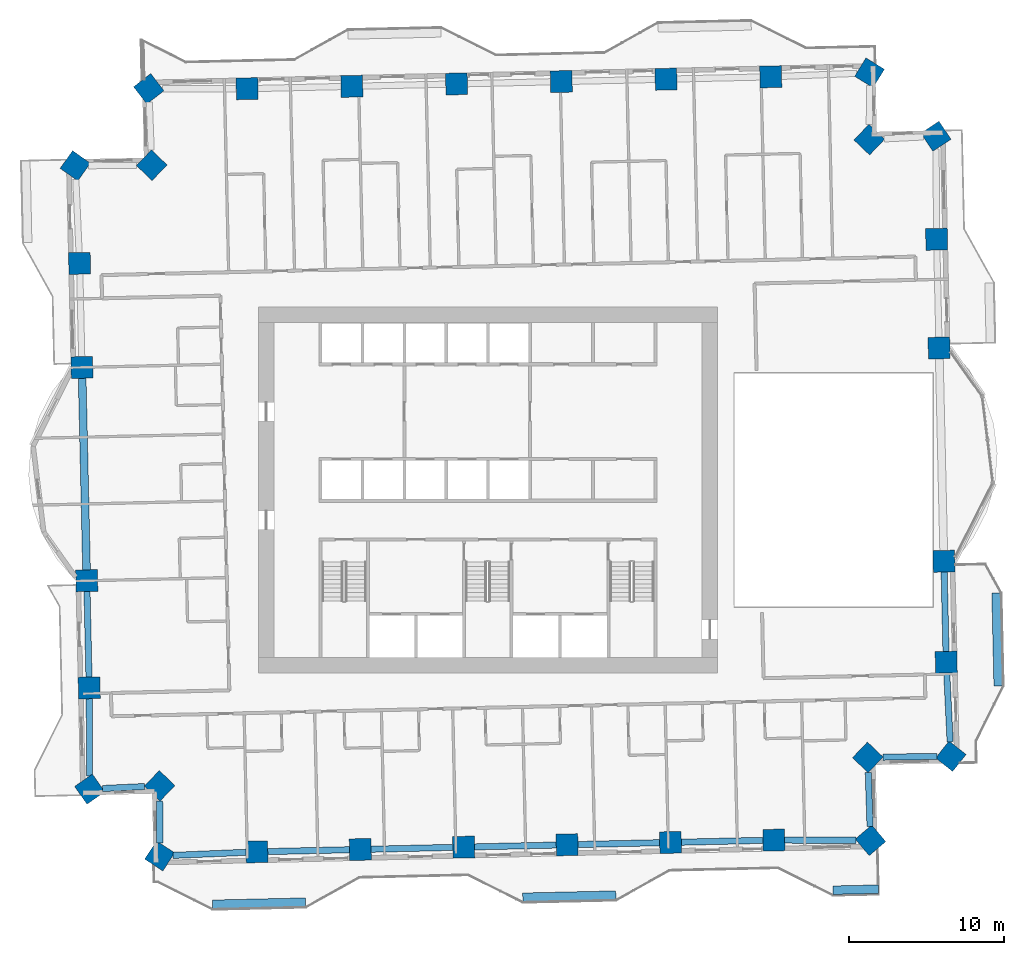
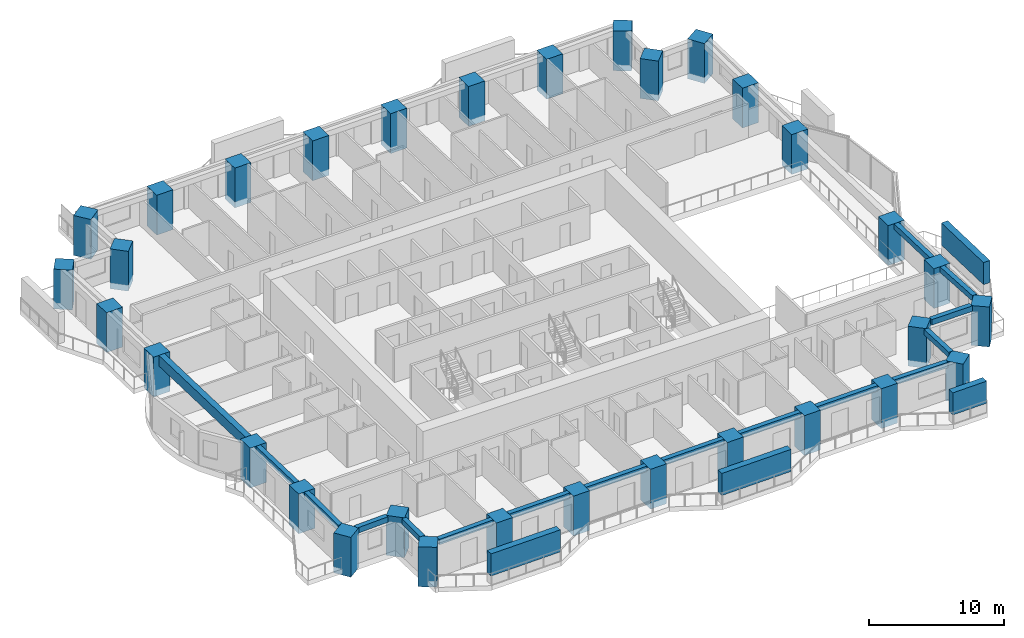
# One storey, part 1 of 17: 32 columns, 16 beams, 4 members.
"""IFC4 building model written with IfcOpenShell, lengths in metres."""

import ifcopenshell
import ifcopenshell.guid

model = None  # the IFC model being written
_history = None  # IfcOwnerHistory: only IFC2X3 demands one
_inside = {}  # id of a spatial element -> (the spatial element, [elements in it])
_under = {}  # id of a project, library or spatial element -> (it, [spatial elements below it])
_declared = {}  # id of a project -> (the project, [libraries it declares])
_typed = {}  # id of a type object -> (the type object, [elements of that type])
_made_of = {}  # id of a material, layer set ... -> (it, [elements and type objects made of it])


def new_model(schema):
    """Start an empty IFC model of exactly this schema.

    Asked for "IFC4X3", IfcOpenShell would pick the latest addendum, in which some entities
    have other attributes; the version numbers below select the first issue.
    IFC2X3 requires an IfcOwnerHistory on every rooted entity: one is made here for all.
    """
    global model, _history
    if schema == "IFC4X3":
        model = ifcopenshell.file(schema_version=(4, 3, 0, 0))
    else:
        model = ifcopenshell.file(schema=schema)
    _inside.clear()
    _under.clear()
    _declared.clear()
    _typed.clear()
    _made_of.clear()
    _history = None
    if model.schema == "IFC2X3":
        org = make("IfcOrganization", Name="unknown")
        user = make(
            "IfcPersonAndOrganization",
            ThePerson=make("IfcPerson", FamilyName="unknown"),
            TheOrganization=org,
        )
        app = make(
            "IfcApplication",
            ApplicationDeveloper=org,
            Version="unknown",
            ApplicationFullName="unknown",
            ApplicationIdentifier="unknown",
        )
        _history = make(
            "IfcOwnerHistory",
            OwningUser=user,
            OwningApplication=app,
            ChangeAction="ADDED",
            CreationDate=0,
        )
    return model


def make(cls, **values):
    """One entity of the class cls with the attributes given. An attribute that is None is left unset."""
    return model.create_entity(
        cls, **{name: value for name, value in values.items() if value is not None}
    )


def rooted(cls, **values):
    """An entity with a GlobalId (a new one), such as an element, a storey or a relation."""
    return make(cls, GlobalId=ifcopenshell.guid.new(), OwnerHistory=_history, **values)


def si_unit(unit_type, name, prefix=None):
    """IfcSIUnit, for example si_unit("LENGTHUNIT", "METRE", prefix="MILLI")."""
    return make("IfcSIUnit", UnitType=unit_type, Prefix=prefix, Name=name)


def assignment(units):
    """IfcUnitAssignment: the units of a project."""
    return None if units is None else make("IfcUnitAssignment", Units=units)


def point(xyz):
    """IfcCartesianPoint."""
    return None if xyz is None else make("IfcCartesianPoint", Coordinates=xyz)


def direction(xyz):
    """IfcDirection."""
    return None if xyz is None else make("IfcDirection", DirectionRatios=xyz)


def frame(location, z_axis=None, x_axis=None):
    """IfcAxis2Placement3D, a coordinate frame: its origin and axes. An axis left out is left unset."""
    return make(
        "IfcAxis2Placement3D",
        Location=point(location),
        Axis=direction(z_axis),
        RefDirection=direction(x_axis),
    )


def frame_2d(location, x_axis=None):
    """IfcAxis2Placement2D, a coordinate frame in the plane: its origin and x axis."""
    return make(
        "IfcAxis2Placement2D", Location=point(location), RefDirection=direction(x_axis)
    )


def origin():
    """The frame at (0, 0, 0) with its axes left unset."""
    return frame((0.0, 0.0, 0.0))


def origin_2d():
    """The frame at (0, 0) in the plane with its x axis left unset."""
    return frame_2d((0.0, 0.0))


def place(relative_to, where):
    """IfcLocalPlacement: puts the frame where relative to a parent placement (None: the world)."""
    return make(
        "IfcLocalPlacement", PlacementRelTo=relative_to, RelativePlacement=where
    )


def context(
    kind, dimensions, precision=None, world=None, true_north=None, identifier=None
):
    """IfcGeometricRepresentationContext, for example the 3D "Model" context."""
    return make(
        "IfcGeometricRepresentationContext",
        ContextIdentifier=identifier,
        ContextType=kind,
        CoordinateSpaceDimension=dimensions,
        Precision=precision,
        WorldCoordinateSystem=world,
        TrueNorth=true_north,
    )


def subcontext(parent, identifier, kind, view, scale=None):
    """IfcGeometricRepresentationSubContext, for example "Body" below "Model"."""
    return make(
        "IfcGeometricRepresentationSubContext",
        ContextIdentifier=identifier,
        ContextType=kind,
        ParentContext=parent,
        TargetScale=scale,
        TargetView=view,
    )


def project(units=None, contexts=None):
    """IfcProject with its units and contexts."""
    return rooted(
        "IfcProject",
        Name="project",
        RepresentationContexts=contexts,
        UnitsInContext=assignment(units),
    )


def spatial(cls, under=None, at=None, **own):
    """A site, building, storey or space (cls), placed at a placement, below another one or the project."""
    s = rooted(cls, ObjectPlacement=at, **own)
    if under is not None:
        _under.setdefault(under.id(), (under, []))[1].append(s)
    return s


def profile(cls, at=None, kind="AREA", **sizes):
    """A parametric profile (cls). Its sizes go by their IFC names, for example OverallWidth=200.0."""
    return make(cls, ProfileType=kind, Position=at, **sizes)


def rectangle(**sizes):
    """IfcRectangleProfileDef."""
    return profile("IfcRectangleProfileDef", **sizes)


def extrude(swept, where, along, depth):
    """IfcExtrudedAreaSolid: the profile swept, set in the frame where, extruded along a direction by depth."""
    return make(
        "IfcExtrudedAreaSolid",
        SweptArea=swept,
        Position=where,
        ExtrudedDirection=direction(along),
        Depth=depth,
    )


def shape(context_of_items, identifier, shape_type, items):
    """IfcShapeRepresentation: the items that make up one representation, for example the "Body"."""
    return make(
        "IfcShapeRepresentation",
        ContextOfItems=context_of_items,
        RepresentationIdentifier=identifier,
        RepresentationType=shape_type,
        Items=items,
    )


def material(Name=None, Category=None):
    """IfcMaterial."""
    return make("IfcMaterial", Name=Name, Category=Category)


def material_profile(
    of_material, cross_section, Name=None, Category=None, Priority=None
):
    """IfcMaterialProfile: a cross section and its material."""
    return make(
        "IfcMaterialProfile",
        Name=Name,
        Material=of_material,
        Profile=cross_section,
        Priority=Priority,
        Category=Category,
    )


def profile_set(profiles, Name=None, composite=None):
    """IfcMaterialProfileSet."""
    return make(
        "IfcMaterialProfileSet",
        Name=Name,
        MaterialProfiles=profiles,
        CompositeProfile=composite,
    )


def made_of(thing, what):
    """Note that an element or type object is made of a material, layer set ...; save() writes the relation."""
    if what is not None:
        _made_of.setdefault(what.id(), (what, []))[1].append(thing)
    return thing


def type_object(cls, material=None, **own):
    """A type object (cls), such as IfcWallType, which elements share."""
    return made_of(rooted(cls, **own), material)


def element(
    cls,
    number,
    at=None,
    inside=None,
    cuts=None,
    type_object=None,
    material=None,
    context=None,
    identifier="Body",
    shape_type=None,
    held_by="IfcProductDefinitionShape",
    body=None,
    shapes=None,
    **own,
):
    """One element of the class cls, such as IfcWall. Its Tag is "e" and its number.

    at: its placement. inside: the storey or other place that contains it. cuts: it is an
    opening in that element (IfcRelVoidsElement). A single representation is given by context,
    identifier, shape_type and body (its items); several are given by shapes. held_by: the class
    of the entity that holds the representations. save() writes the other relations.
    """
    e = rooted(cls, Tag="e%d" % number, ObjectPlacement=at, **own)
    if body is not None:
        shapes = [shape(context, identifier, shape_type, body)]
    if shapes is not None:
        e.Representation = make(held_by, Representations=shapes)
    if inside is not None:
        _inside.setdefault(inside.id(), (inside, []))[1].append(e)
    if cuts is not None:
        rooted(
            "IfcRelVoidsElement", RelatingBuildingElement=cuts, RelatedOpeningElement=e
        )
    if type_object is not None:
        _typed.setdefault(type_object.id(), (type_object, []))[1].append(e)
    return made_of(e, material)


def aggregate(whole, parts):
    """IfcRelAggregates: a whole, such as a stair, and the parts it consists of."""
    return rooted("IfcRelAggregates", RelatingObject=whole, RelatedObjects=parts)


def save(model, path):
    """Write the relations noted so far, then the file.

    IfcRelAggregates (storeys below a building ...), IfcRelContainedInSpatialStructure (elements
    in a storey), IfcRelDefinesByType, IfcRelAssociatesMaterial and IfcRelDeclares: one each for
    every whole, place, type object, material and project.
    """
    for whole, parts in _under.values():
        aggregate(whole, parts)
    for where, things in _inside.values():
        rooted(
            "IfcRelContainedInSpatialStructure",
            RelatedElements=things,
            RelatingStructure=where,
        )
    for kind, things in _typed.values():
        rooted("IfcRelDefinesByType", RelatedObjects=things, RelatingType=kind)
    for what, things in _made_of.values():
        rooted("IfcRelAssociatesMaterial", RelatedObjects=things, RelatingMaterial=what)
    for by, libraries in _declared.values():
        rooted("IfcRelDeclares", RelatingContext=by, RelatedDefinitions=libraries)
    model.write(path)


model = new_model("IFC4")

# Units and contexts
model_context = context("Model", 3, precision=1e-05, world=origin(), true_north=direction((0.0, 1.0)))
body_context = subcontext(model_context, "Body", "Model", "MODEL_VIEW")
ifc_project = project(units=[si_unit("LENGTHUNIT", "METRE"), si_unit("AREAUNIT", "SQUARE_METRE"), si_unit("VOLUMEUNIT", "CUBIC_METRE"), si_unit("PLANEANGLEUNIT", "RADIAN"), si_unit("MASSUNIT", "GRAM", prefix="KILO")], contexts=[model_context])

# Site, building, storey
site_placement = place(None, origin())
site = spatial("IfcSite", under=ifc_project, at=site_placement, CompositionType="ELEMENT")
building_placement = place(site_placement, origin())
building = spatial("IfcBuilding", under=site, at=building_placement, Name="Mangrove Gate Tower", CompositionType="ELEMENT")
storey_placement = place(building_placement, frame((0.0, 0.0, 93.699951171875)))
storey = spatial("IfcBuildingStorey", under=building, at=storey_placement, Name="L23", CompositionType="ELEMENT", Elevation=93.699951171875)

# Columns
ifc_material_1 = material(Name="Concrete C70/85", Category="concrete")
ifc_material_profile_1 = material_profile(ifc_material_1, rectangle(XDim=1.39990234375, YDim=1.39990234375, at=origin_2d()))
ifc_profile_set_1 = profile_set([ifc_material_profile_1], Name="Concrete C70/85")
column_type = type_object("IfcColumnType", Name="Column RC 1400x1400 C70/85", PredefinedType="COLUMN", material=ifc_profile_set_1)
for number, where, z_axis, x_axis, name in (
    (1, (-25.873291015625, -5.85009765625, -0.550048828125), (0.0, 0.0, 1.0), (0.022697227041, -0.99974238476, 0.0), "Column L23 W05"),
    (2, (-25.716064453125, -12.760986328125, -0.550048828125), (0.0, 0.0, 1.0), (0.022711552501, -0.999742059425, 0.0), "Column L23 W06"),
    (3, (-25.685302734375, -19.287109375, -0.550048828125), (0.0, 0.0, 1.0), (0.572799342172, -0.819695622538, 0.0), "Column L23 W07"),
    (4, (-21.176513671875, -19.076904296875, -0.550048828125), (0.0, 0.0, 1.0), (0.722988982899, -0.690859559249, 0.0), "Column L23 W08"),
    (5, (-21.171630859375, -23.596923828125, -0.550048828125), (0.0, 0.0, 1.0), (0.835754041756, -0.549103980762, 0.0), "Column L23 S01"),
    (6, (-14.906005859375, -23.331298828125, -0.550048828125), (0.0, 0.0, 1.0), (0.999741835415, 0.022721411066, 0.0), "Column L23 S02"),
    (7, (-8.239990234375, -23.17919921875, -0.550048828125), (0.0, 0.0, 1.0), (0.999741796947, 0.022723103599, 0.0), "Column L23 S03"),
    (8, (-1.574951171875, -23.028076171875, -0.550048828125), (0.0, 0.0, 1.0), (0.999743497505, 0.022648160999, 0.0), "Column L23 S04"),
    (9, (5.091064453125, -22.877197265625, -0.550048828125), (0.0, 0.0, 1.0), (0.999743536241, 0.022646451015, 0.0), "Column L23 S05"),
    (10, (11.757080078125, -22.72607421875, -0.550048828125), (0.0, 0.0, 1.0), (0.999741796947, 0.022723103599, 0.0), "Column L23 S06"),
    (11, (18.422119140625, -22.57421875, -0.550048828125), (0.0, 0.0, 1.0), (0.999741796947, 0.022723103599, 0.0), "Column L23 S07"),
    (12, (24.6513671875, -22.589111328125, -0.550048828125), (0.0, 0.0, 1.0), (0.762709463852, 0.646741272651, 0.0), "Column L23 S08"),
    (13, (24.475830078125, -17.241455078125, -0.550048828125), (0.0, 0.0, 1.0), (0.690883635037, 0.722965976266, 0.0), "Column L23 E01"),
    (14, (29.8310546875, -17.167724609375, -0.550048828125), (0.0, 0.0, 1.0), (0.620563665396, 0.784156066858, 0.0), "Column L23 E02"),
    (15, (29.5322265625, -11.10693359375, -0.550048828125), (0.0, 0.0, 1.0), (-0.02264990588, 0.999743457975, 0.0), "Column L23 E03"),
    (16, (29.38525390625, -4.596923828125, -0.550048828125), (0.0, 0.0, 1.0), (-0.022653011769, 0.999743387604, 0.0), "Column L23 E04"),
    (17, (29.0732421875, 9.150146484375, -0.550048828125), (0.0, 0.0, 1.0), (-0.022684210237, 0.999742680196, 0.0), "Column L23 E05"),
    (18, (28.9140625, 16.1611328125, -0.550048828125), (0.0, 0.0, 1.0), (-0.022674438908, 0.99974290186, 0.0), "Column L23 E06"),
    (19, (28.87060546875, 22.801513671875, -0.550048828125), (0.0, 0.0, 1.0), (-0.550567885303, 0.834790395053, 0.0), "Column L23 E07"),
    (20, (24.572265625, 22.58203125, -0.550048828125), (0.0, 0.0, 1.0), (-0.722913991344, 0.690938029869, 0.0), "Column L23 E08"),
    (21, (24.58740234375, 26.891845703125, -0.550048828125), (0.0, 0.0, 1.0), (-0.85008265929, 0.526649287832, 0.0), "Column L23 N01"),
    (22, (18.219970703125, 26.63330078125, -0.550048828125), (0.0, 0.0, 1.0), (-0.999741644236, -0.022729821381, 0.0), "Column L23 N02"),
    (23, (11.46875, 26.480224609375, -0.550048828125), (0.0, 0.0, 1.0), (-0.999743285984, -0.022657496114, 0.0), "Column L23 N03"),
    (24, (4.7177734375, 26.3271484375, -0.550048828125), (0.0, 0.0, 1.0), (-0.999743323945, -0.022655821028, 0.0), "Column L23 N04"),
    (25, (-2.0341796875, 26.174072265625, -0.550048828125), (0.0, 0.0, 1.0), (-0.999741644236, -0.022729821381, 0.0), "Column L23 N05"),
    (26, (-8.78515625, 26.020263671875, -0.550048828125), (0.0, 0.0, 1.0), (-0.999741644236, -0.022729821381, 0.0), "Column L23 N06"),
    (27, (-15.537109375, 25.8671875, -0.550048828125), (0.0, 0.0, 1.0), (-0.999743323945, -0.022655821028, 0.0), "Column L23 N07"),
    (28, (-21.874755859375, 25.861083984375, -0.550048828125), (0.0, 0.0, 1.0), (-0.789979802002, -0.613132866864, 0.0), "Column L23 N08"),
    (29, (-21.684814453125, 20.931396484375, -0.550048828125), (0.0, 0.0, 1.0), (-0.690872556232, -0.722976563275, 0.0), "Column L23 W01"),
    (30, (-26.6181640625, 20.896728515625, -0.550048828125), (0.0, 0.0, 1.0), (-0.5789981691, -0.815328841744, 0.0), "Column L23 W02"),
    (31, (-26.337158203125, 14.60693359375, -0.550048828125), (0.0, 0.0, 1.0), (0.022645264495, -0.999743563118, 0.0), "Column L23 W03"),
    (32, (-26.18505859375, 7.89697265625, -0.550048828125), (0.0, 0.0, 1.0), (0.022675887158, -0.999742869013, 0.0), "Column L23 W04"),
):
    element("IfcColumn", number, at=place(storey_placement, frame(where, z_axis=z_axis, x_axis=x_axis)), inside=storey, type_object=column_type, Name=name, PredefinedType="COLUMN", context=body_context, shape_type="SweptSolid", body=[
        extrude(rectangle(XDim=1.39990234375, YDim=1.39990234375, at=origin_2d()), origin(), (0.0, 0.0, 1.0), 3.60009765625),
    ])

# Members
ifc_material_2 = material(Name="Planting on aluminium trellis", Category="aluminium")
ifc_material_profile_2 = material_profile(ifc_material_2, rectangle(XDim=0.550048828125, YDim=2.0, at=origin_2d()))
ifc_profile_set_2 = profile_set([ifc_material_profile_2], Name="Planting on aluminium trellis")
member_type = type_object("IfcMemberType", Name="Balcony greenery screen 550x2000", PredefinedType="USERDEFINED", material=ifc_profile_set_2)
member_1_placement = place(storey_placement, frame((32.883056640625, -12.64404296875, 1.800048828125), z_axis=(-0.022662255828, 0.999743178102, 0.0), x_axis=(-0.999743178102, -0.022662255828, 0.0)))
element("IfcMember", 33, at=member_1_placement, inside=storey, type_object=member_type, Name="GREEN SCREEN L23 E0.1", ObjectType="PLANTING", PredefinedType="USERDEFINED", context=body_context, shape_type="SweptSolid", body=[
    extrude(rectangle(XDim=0.550048828125, YDim=2.0, at=origin_2d()), origin(), (0.0, 0.0, 1.0), 6.00048828125),
])
for number, where, z_axis, x_axis, name in (
    (34, (-17.760986328125, -26.7119140625, 1.800048828125), (0.999739392852, 0.022828630714, 0.0), (-0.022828630714, 0.999739392852, 0.0), "GREEN SCREEN L23 S0.1"),
    (35, (2.23388671875, -26.258056640625, 1.800048828125), (0.999743094499, 0.022665943652, 0.0), (-0.022665943652, 0.999743094499, 0.0), "GREEN SCREEN L23 S1.1"),
):
    element("IfcMember", number, at=place(storey_placement, frame(where, z_axis=z_axis, x_axis=x_axis)), inside=storey, type_object=member_type, Name=name, ObjectType="PLANTING", PredefinedType="USERDEFINED", context=body_context, shape_type="SweptSolid", body=[
        extrude(rectangle(XDim=0.550048828125, YDim=2.0, at=origin_2d()), origin(), (0.0, 0.0, 1.0), 5.99951171875),
    ])
member_2_placement = place(storey_placement, frame((22.22802734375, -25.803955078125, 1.800048828125), z_axis=(0.999740546409, 0.022778056687, 0.0), x_axis=(-0.022778056687, 0.999740546409, 0.0)))
element("IfcMember", 36, at=member_2_placement, inside=storey, type_object=member_type, Name="GREEN SCREEN L23 S1.2", ObjectType="PLANTING", PredefinedType="USERDEFINED", context=body_context, shape_type="SweptSolid", body=[
    extrude(rectangle(XDim=0.550048828125, YDim=2.0, at=origin_2d()), origin(), (0.0, 0.0, 1.0), 2.936767578125),
])

# Beams
ifc_material_3 = material(Name="Concrete C50/60", Category="concrete")
ifc_material_profile_3 = material_profile(ifc_material_3, rectangle(XDim=0.39990234375, YDim=0.5, at=origin_2d()))
ifc_profile_set_3 = profile_set([ifc_material_profile_3], Name="Concrete C50/60")
beam_type_1 = type_object("IfcBeamType", Name="Edge beam RC 400x500 C50/60", PredefinedType="BEAM", material=ifc_profile_set_3)
beam_1_placement = place(storey_placement, frame((-25.857177734375, -6.550048828125, 2.800048828125), z_axis=(0.022675128809, -0.999742886213, 0.0), x_axis=(0.999742886213, 0.022675128809, 0.0)))
element("IfcBeam", 37, at=beam_1_placement, inside=storey, type_object=beam_type_1, Name="Edge beam L23 00", PredefinedType="BEAM", context=body_context, shape_type="SweptSolid", body=[
    extrude(rectangle(XDim=0.39990234375, YDim=0.5, at=origin_2d()), origin(), (0.0, 0.0, 1.0), 5.5126953125),
])
beam_2_placement = place(storey_placement, frame((-25.712890625, -13.461181640625, 2.800048828125), z_axis=(0.004760448611, -0.999988669, 0.0), x_axis=(0.999988669, 0.004760448611, 0.0)))
element("IfcBeam", 38, at=beam_2_placement, inside=storey, type_object=beam_type_1, Name="Edge beam L23 01", PredefinedType="BEAM", context=body_context, shape_type="SweptSolid", body=[
    extrude(rectangle(XDim=0.39990234375, YDim=0.5, at=origin_2d()), origin(), (0.0, 0.0, 1.0), 4.974609375),
])
beam_3_placement = place(storey_placement, frame((-24.858154296875, -19.24853515625, 2.800048828125), z_axis=(0.998913193055, 0.046609363229, 0.0), x_axis=(-0.046609363229, 0.998913193055, 0.0)))
element("IfcBeam", 39, at=beam_3_placement, inside=storey, type_object=beam_type_1, Name="Edge beam L23 02", PredefinedType="BEAM", context=body_context, shape_type="SweptSolid", body=[
    extrude(rectangle(XDim=0.39990234375, YDim=0.5, at=origin_2d()), origin(), (0.0, 0.0, 1.0), 2.718505859375),
])
beam_4_placement = place(storey_placement, frame((-21.17529296875, -20.046142578125, 2.800048828125), z_axis=(0.000990009415, -0.999999509941, 0.0), x_axis=(0.999999509941, 0.000990009415, 0.0)))
element("IfcBeam", 40, at=beam_4_placement, inside=storey, type_object=beam_type_1, Name="Edge beam L23 03", PredefinedType="BEAM", context=body_context, shape_type="SweptSolid", body=[
    extrude(rectangle(XDim=0.39990234375, YDim=0.5, at=origin_2d()), origin(), (0.0, 0.0, 1.0), 2.712646484375),
])
beam_5_placement = place(storey_placement, frame((-20.31005859375, -23.560302734375, 2.800048828125), z_axis=(0.999102435493, 0.042359454582, 0.0), x_axis=(-0.042359454582, 0.999102435493, 0.0)))
element("IfcBeam", 41, at=beam_5_placement, inside=storey, type_object=beam_type_1, Name="Edge beam L23 04", PredefinedType="BEAM", context=body_context, shape_type="SweptSolid", body=[
    extrude(rectangle(XDim=0.39990234375, YDim=0.5, at=origin_2d()), origin(), (0.0, 0.0, 1.0), 4.708740234375),
])
beam_6_placement = place(storey_placement, frame((-14.2060546875, -23.315185546875, 2.800048828125), z_axis=(0.999739989884, 0.022802469752, 0.0), x_axis=(-0.022802469752, 0.999739989884, 0.0)))
element("IfcBeam", 42, at=beam_6_placement, inside=storey, type_object=beam_type_1, Name="Edge beam L23 05", PredefinedType="BEAM", context=body_context, shape_type="SweptSolid", body=[
    extrude(rectangle(XDim=0.39990234375, YDim=0.5, at=origin_2d()), origin(), (0.0, 0.0, 1.0), 5.267822265625),
])
beam_7_placement = place(storey_placement, frame((-7.5400390625, -23.163330078125, 2.800048828125), z_axis=(0.999743054607, 0.022667703144, 0.0), x_axis=(-0.022667703144, 0.999743054607, 0.0)))
element("IfcBeam", 43, at=beam_7_placement, inside=storey, type_object=beam_type_1, Name="Edge beam L23 06", PredefinedType="BEAM", context=body_context, shape_type="SweptSolid", body=[
    extrude(rectangle(XDim=0.39990234375, YDim=0.5, at=origin_2d()), origin(), (0.0, 0.0, 1.0), 5.266845703125),
])
for number, where, z_axis, x_axis, name in (
    (44, (-0.875, -23.01220703125, 2.800048828125), (0.999744198889, 0.022617179039, 0.0), (-0.022617179039, 0.999744198889, 0.0), "Edge beam L23 07"),
    (45, (5.791015625, -22.861328125, 2.800048828125), (0.999743149854, 0.022663501937, 0.0), (-0.022663501937, 0.999743149854, 0.0), "Edge beam L23 08"),
):
    element("IfcBeam", number, at=place(storey_placement, frame(where, z_axis=z_axis, x_axis=x_axis)), inside=storey, type_object=beam_type_1, Name=name, PredefinedType="BEAM", context=body_context, shape_type="SweptSolid", body=[
        extrude(rectangle(XDim=0.39990234375, YDim=0.5, at=origin_2d()), origin(), (0.0, 0.0, 1.0), 5.267822265625),
    ])
beam_8_placement = place(storey_placement, frame((12.45703125, -22.710205078125, 2.800048828125), z_axis=(0.999739869352, 0.022807753673, 0.0), x_axis=(-0.022807753673, 0.999739869352, 0.0)))
element("IfcBeam", 46, at=beam_8_placement, inside=storey, type_object=beam_type_1, Name="Edge beam L23 09", PredefinedType="BEAM", context=body_context, shape_type="SweptSolid", body=[
    extrude(rectangle(XDim=0.39990234375, YDim=0.5, at=origin_2d()), origin(), (0.0, 0.0, 1.0), 5.2666015625),
])
beam_9_placement = place(storey_placement, frame((19.122314453125, -22.575927734375, 2.800048828125), z_axis=(0.999997159537, -0.002383467806, 0.0), x_axis=(0.002383467806, 0.999997159537, 0.0)))
element("IfcBeam", 47, at=beam_9_placement, inside=storey, type_object=beam_type_1, Name="Edge beam L23 10", PredefinedType="BEAM", context=body_context, shape_type="SweptSolid", body=[
    extrude(rectangle(XDim=0.39990234375, YDim=0.5, at=origin_2d()), origin(), (0.0, 0.0, 1.0), 4.609375),
])
beam_10_placement = place(storey_placement, frame((24.6220703125, -21.696044921875, 2.800048828125), z_axis=(-0.032791124053, 0.999462226491, 0.0), x_axis=(-0.999462226491, -0.032791124053, 0.0)))
element("IfcBeam", 48, at=beam_10_placement, inside=storey, type_object=beam_type_1, Name="Edge beam L23 11", PredefinedType="BEAM", context=body_context, shape_type="SweptSolid", body=[
    extrude(rectangle(XDim=0.39990234375, YDim=0.5, at=origin_2d()), origin(), (0.0, 0.0, 1.0), 3.47705078125),
])
beam_11_placement = place(storey_placement, frame((25.45703125, -17.227783203125, 2.800048828125), z_axis=(0.999905009067, 0.013783063632, 0.0), x_axis=(-0.013783063632, 0.999905009067, 0.0)))
element("IfcBeam", 49, at=beam_11_placement, inside=storey, type_object=beam_type_1, Name="Edge beam L23 12", PredefinedType="BEAM", context=body_context, shape_type="SweptSolid", body=[
    extrude(rectangle(XDim=0.39990234375, YDim=0.5, at=origin_2d()), origin(), (0.0, 0.0, 1.0), 3.4716796875),
])
beam_12_placement = place(storey_placement, frame((29.78515625, -16.23876953125, 2.800048828125), z_axis=(-0.049235214486, 0.998787211399, 0.0), x_axis=(-0.998787211399, -0.049235214486, 0.0)))
element("IfcBeam", 50, at=beam_12_placement, inside=storey, type_object=beam_type_1, Name="Edge beam L23 13", PredefinedType="BEAM", context=body_context, shape_type="SweptSolid", body=[
    extrude(rectangle(XDim=0.39990234375, YDim=0.5, at=origin_2d()), origin(), (0.0, 0.0, 1.0), 4.43798828125),
])
beam_13_placement = place(storey_placement, frame((29.516357421875, -10.406982421875, 2.800048828125), z_axis=(-0.022591213633, 0.999744785966, 0.0), x_axis=(-0.999744785966, -0.022591213633, 0.0)))
element("IfcBeam", 51, at=beam_13_placement, inside=storey, type_object=beam_type_1, Name="Edge beam L23 14", PredefinedType="BEAM", context=body_context, shape_type="SweptSolid", body=[
    extrude(rectangle(XDim=0.39990234375, YDim=0.5, at=origin_2d()), origin(), (0.0, 0.0, 1.0), 5.111572265625),
])
ifc_material_4 = material(Name="Concrete C50/60", Category="concrete")
ifc_material_profile_4 = material_profile(ifc_material_4, rectangle(XDim=0.5, YDim=0.949951171875, at=origin_2d()))
ifc_profile_set_4 = profile_set([ifc_material_profile_4], Name="Concrete C50/60")
beam_type_2 = type_object("IfcBeamType", Name="Edge beam RC 500x950 C50/60", PredefinedType="BEAM", material=ifc_profile_set_4)
beam_14_placement = place(storey_placement, frame((-26.169189453125, 7.197021484375, 2.574951171875), z_axis=(0.022673359101, -0.99974292635, 0.0), x_axis=(0.99974292635, 0.022673359101, 0.0)))
element("IfcBeam", 52, at=beam_14_placement, inside=storey, type_object=beam_type_2, Name="Edge beam L23 31", PredefinedType="BEAM", context=body_context, shape_type="SweptSolid", body=[
    extrude(rectangle(XDim=0.5, YDim=0.949951171875, at=origin_2d()), origin(), (0.0, 0.0, 1.0), 12.3505859375),
])

save(model, "model.ifc")
